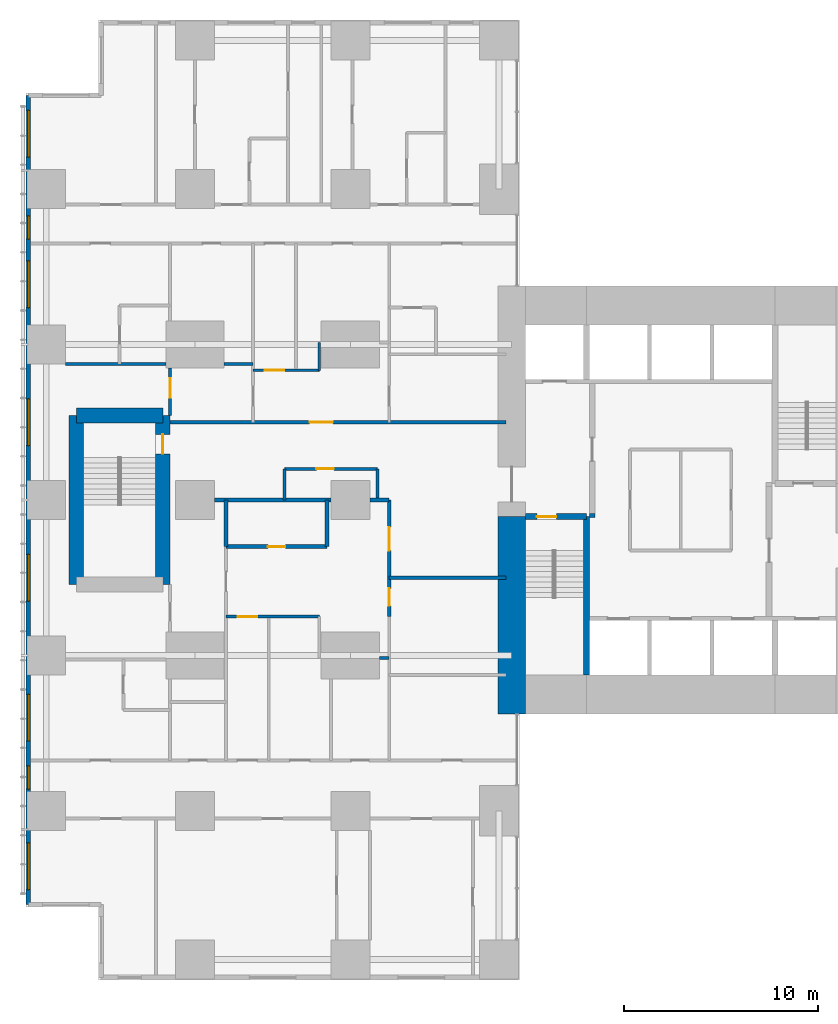
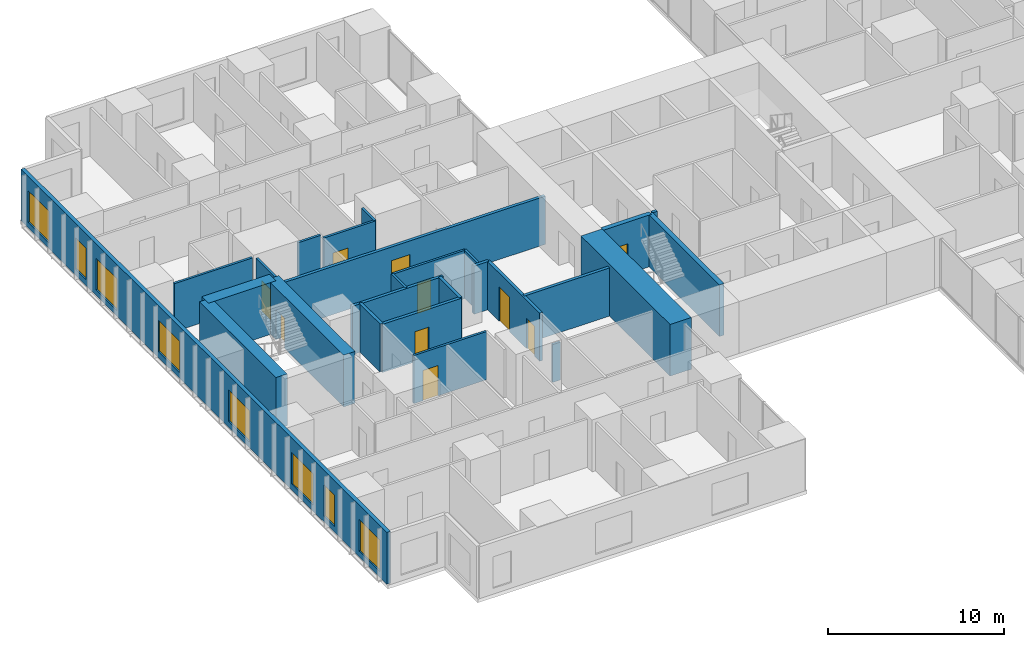
# One storey, part 13 of 20: 26 walls, 10 doors, 8 windows, 18 openings.
"""IFC4 building model written with IfcOpenShell, lengths in metres."""

import ifcopenshell
import ifcopenshell.guid

model = None  # the IFC model being written
_history = None  # IfcOwnerHistory: only IFC2X3 demands one
_inside = {}  # id of a spatial element -> (the spatial element, [elements in it])
_under = {}  # id of a project, library or spatial element -> (it, [spatial elements below it])
_declared = {}  # id of a project -> (the project, [libraries it declares])
_typed = {}  # id of a type object -> (the type object, [elements of that type])
_made_of = {}  # id of a material, layer set ... -> (it, [elements and type objects made of it])


def new_model(schema):
    """Start an empty IFC model of exactly this schema.

    Asked for "IFC4X3", IfcOpenShell would pick the latest addendum, in which some entities
    have other attributes; the version numbers below select the first issue.
    IFC2X3 requires an IfcOwnerHistory on every rooted entity: one is made here for all.
    """
    global model, _history
    if schema == "IFC4X3":
        model = ifcopenshell.file(schema_version=(4, 3, 0, 0))
    else:
        model = ifcopenshell.file(schema=schema)
    _inside.clear()
    _under.clear()
    _declared.clear()
    _typed.clear()
    _made_of.clear()
    _history = None
    if model.schema == "IFC2X3":
        org = make("IfcOrganization", Name="unknown")
        user = make(
            "IfcPersonAndOrganization",
            ThePerson=make("IfcPerson", FamilyName="unknown"),
            TheOrganization=org,
        )
        app = make(
            "IfcApplication",
            ApplicationDeveloper=org,
            Version="unknown",
            ApplicationFullName="unknown",
            ApplicationIdentifier="unknown",
        )
        _history = make(
            "IfcOwnerHistory",
            OwningUser=user,
            OwningApplication=app,
            ChangeAction="ADDED",
            CreationDate=0,
        )
    return model


def make(cls, **values):
    """One entity of the class cls with the attributes given. An attribute that is None is left unset."""
    return model.create_entity(
        cls, **{name: value for name, value in values.items() if value is not None}
    )


def rooted(cls, **values):
    """An entity with a GlobalId (a new one), such as an element, a storey or a relation."""
    return make(cls, GlobalId=ifcopenshell.guid.new(), OwnerHistory=_history, **values)


def si_unit(unit_type, name, prefix=None):
    """IfcSIUnit, for example si_unit("LENGTHUNIT", "METRE", prefix="MILLI")."""
    return make("IfcSIUnit", UnitType=unit_type, Prefix=prefix, Name=name)


def assignment(units):
    """IfcUnitAssignment: the units of a project."""
    return None if units is None else make("IfcUnitAssignment", Units=units)


def point(xyz):
    """IfcCartesianPoint."""
    return None if xyz is None else make("IfcCartesianPoint", Coordinates=xyz)


def direction(xyz):
    """IfcDirection."""
    return None if xyz is None else make("IfcDirection", DirectionRatios=xyz)


def frame(location, z_axis=None, x_axis=None):
    """IfcAxis2Placement3D, a coordinate frame: its origin and axes. An axis left out is left unset."""
    return make(
        "IfcAxis2Placement3D",
        Location=point(location),
        Axis=direction(z_axis),
        RefDirection=direction(x_axis),
    )


def frame_2d(location, x_axis=None):
    """IfcAxis2Placement2D, a coordinate frame in the plane: its origin and x axis."""
    return make(
        "IfcAxis2Placement2D", Location=point(location), RefDirection=direction(x_axis)
    )


def origin():
    """The frame at (0, 0, 0) with its axes left unset."""
    return frame((0.0, 0.0, 0.0))


def place(relative_to, where):
    """IfcLocalPlacement: puts the frame where relative to a parent placement (None: the world)."""
    return make(
        "IfcLocalPlacement", PlacementRelTo=relative_to, RelativePlacement=where
    )


def context(
    kind, dimensions, precision=None, world=None, true_north=None, identifier=None
):
    """IfcGeometricRepresentationContext, for example the 3D "Model" context."""
    return make(
        "IfcGeometricRepresentationContext",
        ContextIdentifier=identifier,
        ContextType=kind,
        CoordinateSpaceDimension=dimensions,
        Precision=precision,
        WorldCoordinateSystem=world,
        TrueNorth=true_north,
    )


def subcontext(parent, identifier, kind, view, scale=None):
    """IfcGeometricRepresentationSubContext, for example "Body" below "Model"."""
    return make(
        "IfcGeometricRepresentationSubContext",
        ContextIdentifier=identifier,
        ContextType=kind,
        ParentContext=parent,
        TargetScale=scale,
        TargetView=view,
    )


def project(units=None, contexts=None):
    """IfcProject with its units and contexts."""
    return rooted(
        "IfcProject",
        Name="project",
        RepresentationContexts=contexts,
        UnitsInContext=assignment(units),
    )


def spatial(cls, under=None, at=None, **own):
    """A site, building, storey or space (cls), placed at a placement, below another one or the project."""
    s = rooted(cls, ObjectPlacement=at, **own)
    if under is not None:
        _under.setdefault(under.id(), (under, []))[1].append(s)
    return s


def profile(cls, at=None, kind="AREA", **sizes):
    """A parametric profile (cls). Its sizes go by their IFC names, for example OverallWidth=200.0."""
    return make(cls, ProfileType=kind, Position=at, **sizes)


def rectangle(**sizes):
    """IfcRectangleProfileDef."""
    return profile("IfcRectangleProfileDef", **sizes)


def extrude(swept, where, along, depth):
    """IfcExtrudedAreaSolid: the profile swept, set in the frame where, extruded along a direction by depth."""
    return make(
        "IfcExtrudedAreaSolid",
        SweptArea=swept,
        Position=where,
        ExtrudedDirection=direction(along),
        Depth=depth,
    )


def shape(context_of_items, identifier, shape_type, items):
    """IfcShapeRepresentation: the items that make up one representation, for example the "Body"."""
    return make(
        "IfcShapeRepresentation",
        ContextOfItems=context_of_items,
        RepresentationIdentifier=identifier,
        RepresentationType=shape_type,
        Items=items,
    )


def material(Name=None, Category=None):
    """IfcMaterial."""
    return make("IfcMaterial", Name=Name, Category=Category)


def layer(
    of_material, thickness, ventilated=None, Name=None, Category=None, Priority=None
):
    """IfcMaterialLayer: one layer of a wall or slab, of a material (None: an air gap)."""
    return make(
        "IfcMaterialLayer",
        Material=of_material,
        LayerThickness=thickness,
        IsVentilated=ventilated,
        Name=Name,
        Category=Category,
        Priority=Priority,
    )


def layer_set(layers, Name=None):
    """IfcMaterialLayerSet."""
    return make("IfcMaterialLayerSet", MaterialLayers=layers, LayerSetName=Name)


def made_of(thing, what):
    """Note that an element or type object is made of a material, layer set ...; save() writes the relation."""
    if what is not None:
        _made_of.setdefault(what.id(), (what, []))[1].append(thing)
    return thing


def type_object(cls, material=None, **own):
    """A type object (cls), such as IfcWallType, which elements share."""
    return made_of(rooted(cls, **own), material)


def element(
    cls,
    number,
    at=None,
    inside=None,
    cuts=None,
    type_object=None,
    material=None,
    context=None,
    identifier="Body",
    shape_type=None,
    held_by="IfcProductDefinitionShape",
    body=None,
    shapes=None,
    **own,
):
    """One element of the class cls, such as IfcWall. Its Tag is "e" and its number.

    at: its placement. inside: the storey or other place that contains it. cuts: it is an
    opening in that element (IfcRelVoidsElement). A single representation is given by context,
    identifier, shape_type and body (its items); several are given by shapes. held_by: the class
    of the entity that holds the representations. save() writes the other relations.
    """
    e = rooted(cls, Tag="e%d" % number, ObjectPlacement=at, **own)
    if body is not None:
        shapes = [shape(context, identifier, shape_type, body)]
    if shapes is not None:
        e.Representation = make(held_by, Representations=shapes)
    if inside is not None:
        _inside.setdefault(inside.id(), (inside, []))[1].append(e)
    if cuts is not None:
        rooted(
            "IfcRelVoidsElement", RelatingBuildingElement=cuts, RelatedOpeningElement=e
        )
    if type_object is not None:
        _typed.setdefault(type_object.id(), (type_object, []))[1].append(e)
    return made_of(e, material)


def fill(opening, filler):
    """IfcRelFillsElement: the door or window that sits in an opening."""
    return rooted(
        "IfcRelFillsElement",
        RelatingOpeningElement=opening,
        RelatedBuildingElement=filler,
    )


def aggregate(whole, parts):
    """IfcRelAggregates: a whole, such as a stair, and the parts it consists of."""
    return rooted("IfcRelAggregates", RelatingObject=whole, RelatedObjects=parts)


def save(model, path):
    """Write the relations noted so far, then the file.

    IfcRelAggregates (storeys below a building ...), IfcRelContainedInSpatialStructure (elements
    in a storey), IfcRelDefinesByType, IfcRelAssociatesMaterial and IfcRelDeclares: one each for
    every whole, place, type object, material and project.
    """
    for whole, parts in _under.values():
        aggregate(whole, parts)
    for where, things in _inside.values():
        rooted(
            "IfcRelContainedInSpatialStructure",
            RelatedElements=things,
            RelatingStructure=where,
        )
    for kind, things in _typed.values():
        rooted("IfcRelDefinesByType", RelatedObjects=things, RelatingType=kind)
    for what, things in _made_of.values():
        rooted("IfcRelAssociatesMaterial", RelatedObjects=things, RelatingMaterial=what)
    for by, libraries in _declared.values():
        rooted("IfcRelDeclares", RelatingContext=by, RelatedDefinitions=libraries)
    model.write(path)


model = new_model("IFC4")

# Units and contexts
model_context = context("Model", 3, precision=1e-05, world=origin(), true_north=direction((0.0, 1.0)))
body_context = subcontext(model_context, "Body", "Model", "MODEL_VIEW")
ifc_project = project(units=[si_unit("LENGTHUNIT", "METRE"), si_unit("AREAUNIT", "SQUARE_METRE"), si_unit("VOLUMEUNIT", "CUBIC_METRE"), si_unit("PLANEANGLEUNIT", "RADIAN"), si_unit("MASSUNIT", "GRAM", prefix="KILO")], contexts=[model_context])

# Site, building, storey
site_placement = place(None, origin())
site = spatial("IfcSite", under=ifc_project, at=site_placement, CompositionType="ELEMENT")
building_placement = place(site_placement, origin())
building = spatial("IfcBuilding", under=site, at=building_placement, Name="Cleftline Residences", CompositionType="ELEMENT")
storey_placement = place(building_placement, frame((0.0, 0.0, 114.199951171875)))
storey = spatial("IfcBuildingStorey", under=building, at=storey_placement, Name="L29", CompositionType="ELEMENT", Elevation=114.199951171875)

# Walls
ifc_material_1 = material(Name="Concrete B70", Category="concrete")
ifc_layer_1 = layer(ifc_material_1, 1.39990234375)
ifc_layer_set_1 = layer_set([ifc_layer_1], Name="CORE WALL 1400")
wall_type_1 = type_object("IfcWallType", Name="CORE WALL 1400", PredefinedType="SHEAR", material=ifc_layer_set_1)
wall_1_placement = place(storey_placement, frame((24.300048828125, 13.0, 0.0), z_axis=(0.0, 0.0, 1.0), x_axis=(0.0, 1.0, 0.0)))
element("IfcWall", 1, at=wall_1_placement, inside=storey, type_object=wall_type_1, Name="Core wall W0", PredefinedType="SHEAR", context=body_context, shape_type="SweptSolid", body=[
    extrude(rectangle(XDim=10.14990234375, YDim=1.39990234375, at=frame_2d((5.074951171875, 0.0))), origin(), (0.0, 0.0, 1.0), 3.60009765625),
])
ifc_material_2 = material(Name="Concrete B70", Category="concrete")
ifc_layer_2 = layer(ifc_material_2, 0.300048828125)
ifc_layer_set_2 = layer_set([ifc_layer_2], Name="CORE WALL 300")
wall_type_2 = type_object("IfcWallType", Name="CORE WALL 300", PredefinedType="SHEAR", material=ifc_layer_set_2)
wall_2_placement = place(storey_placement, frame((28.14990234375, 15.0, 0.0), z_axis=(0.0, 0.0, 1.0), x_axis=(0.0, 1.0, 0.0)))
element("IfcWall", 2, at=wall_2_placement, inside=storey, type_object=wall_type_2, Name="Core wall SA-E", PredefinedType="SHEAR", context=body_context, shape_type="SweptSolid", body=[
    extrude(rectangle(XDim=8.14990234375, YDim=0.300048828125, at=frame_2d((4.074951171875, 0.0))), origin(), (0.0, 0.0, 1.0), 3.60009765625),
])

# Wall, opening, door
wall_3_placement = place(storey_placement, frame((25.0, 23.14990234375, 0.0), z_axis=(0.0, 0.0, 1.0), x_axis=(1.0, 0.0, 0.0)))
wall_3 = element("IfcWall", 3, at=wall_3_placement, inside=storey, type_object=wall_type_2, Name="Core wall SA-N", PredefinedType="SHEAR", context=body_context, shape_type="SweptSolid", body=[
    extrude(rectangle(XDim=3.14990234375, YDim=0.300048828125, at=frame_2d((1.574951171875, 0.0))), origin(), (0.0, 0.0, 1.0), 3.60009765625),
])
opening_1_placement = place(wall_3_placement, frame((0.60009765625, 0.0, 0.0)))
opening_1 = element("IfcOpeningElement", 4, at=opening_1_placement, cuts=wall_3, Name="Opening D5", PredefinedType="OPENING", context=body_context, shape_type="SweptSolid", body=[
    extrude(rectangle(XDim=1.0, YDim=2.10009765625, at=frame_2d((0.5, 1.050048828125))), frame((0.0, 0.159912109375, 0.0), z_axis=(0.0, -1.0, 0.0), x_axis=(1.0, 0.0, 0.0)), (0.0, 0.0, 1.0), 0.320068359375),
])
ifc_material_3 = material(Name="Steel", Category="steel")
door_type_1 = type_object("IfcDoorType", Name="STAIR DOOR 1000X2100", OperationType="SINGLE_SWING_LEFT", PredefinedType="DOOR", material=ifc_material_3)
door_1_placement = place(opening_1_placement, origin())
door_1 = element("IfcDoor", 5, at=door_1_placement, inside=storey, type_object=door_type_1, Name="Stair A door", OperationType="SINGLE_SWING_RIGHT", OverallHeight=2.10009765625, OverallWidth=1.0, PredefinedType="DOOR", context=body_context, shape_type="SweptSolid", body=[
    extrude(rectangle(XDim=1.0, YDim=2.10009765625, at=frame_2d((0.5, 1.050048828125))), frame((0.0, 0.02490234375, 0.0), z_axis=(0.0, -1.0, 0.0), x_axis=(1.0, 0.0, 0.0)), (0.0, 0.0, 1.0), 0.050048828125),
])
fill(opening_1, door_1)

# Wall, openings, windows
ifc_material_4 = material(Name="Rendered reinforced concrete blockwork", Category="masonry")
ifc_layer_3 = layer(ifc_material_4, 0.25)
ifc_layer_set_3 = layer_set([ifc_layer_3], Name="EXTERNAL WALL 250")
wall_type_3 = type_object("IfcWallType", Name="EXTERNAL WALL 250", PredefinedType="SOLIDWALL", material=ifc_layer_set_3)
wall_4_placement = place(storey_placement, frame((-0.574951171875, 44.824951171875, 0.0), z_axis=(0.0, 0.0, 1.0), x_axis=(0.0, -1.0, 0.0)))
wall_4 = element("IfcWall", 6, at=wall_4_placement, inside=storey, type_object=wall_type_3, Name="External wall", PredefinedType="SOLIDWALL", context=body_context, shape_type="SweptSolid", body=[
    extrude(rectangle(XDim=41.64990234375, YDim=0.25, at=frame_2d((20.824951171875, 0.0))), origin(), (0.0, 0.0, 1.0), 3.60009765625),
])
opening_2_placement = place(wall_4_placement, frame((0.77490234375, 0.0, 0.39990234375)))
opening_2 = element("IfcOpeningElement", 7, at=opening_2_placement, cuts=wall_4, Name="Opening W12", PredefinedType="OPENING", context=body_context, shape_type="SweptSolid", body=[
    extrude(rectangle(XDim=2.39990234375, YDim=2.199951171875, at=frame_2d((1.199951171875, 1.10009765625))), frame((0.0, 0.135009765625, 0.0), z_axis=(0.0, -1.0, 0.0), x_axis=(1.0, 0.0, 0.0)), (0.0, 0.0, 1.0), 0.27001953125),
])
opening_3_placement = place(wall_4_placement, frame((6.199951171875, 0.0, 0.39990234375)))
opening_3 = element("IfcOpeningElement", 8, at=opening_3_placement, cuts=wall_4, Name="Opening W11", PredefinedType="OPENING", context=body_context, shape_type="SweptSolid", body=[
    extrude(rectangle(XDim=1.199951171875, YDim=2.199951171875, at=frame_2d((0.60009765625, 1.10009765625))), frame((0.0, 0.135009765625, 0.0), z_axis=(0.0, -1.0, 0.0), x_axis=(1.0, 0.0, 0.0)), (0.0, 0.0, 1.0), 0.27001953125),
])
opening_4_placement = place(wall_4_placement, frame((8.52490234375, 0.0, 0.39990234375)))
opening_4 = element("IfcOpeningElement", 9, at=opening_4_placement, cuts=wall_4, Name="Opening W12", PredefinedType="OPENING", context=body_context, shape_type="SweptSolid", body=[
    extrude(rectangle(XDim=2.39990234375, YDim=2.199951171875, at=frame_2d((1.199951171875, 1.10009765625))), frame((0.0, 0.135009765625, 0.0), z_axis=(0.0, -1.0, 0.0), x_axis=(1.0, 0.0, 0.0)), (0.0, 0.0, 1.0), 0.27001953125),
])
opening_5_placement = place(wall_4_placement, frame((15.625, 0.0, 0.39990234375)))
opening_5 = element("IfcOpeningElement", 10, at=opening_5_placement, cuts=wall_4, Name="Opening W12", PredefinedType="OPENING", context=body_context, shape_type="SweptSolid", body=[
    extrude(rectangle(XDim=2.39990234375, YDim=2.199951171875, at=frame_2d((1.199951171875, 1.10009765625))), frame((0.0, 0.135009765625, 0.0), z_axis=(0.0, -1.0, 0.0), x_axis=(1.0, 0.0, 0.0)), (0.0, 0.0, 1.0), 0.27001953125),
])
opening_6_placement = place(wall_4_placement, frame((23.625, 0.0, 0.39990234375)))
opening_6 = element("IfcOpeningElement", 11, at=opening_6_placement, cuts=wall_4, Name="Opening W12", PredefinedType="OPENING", context=body_context, shape_type="SweptSolid", body=[
    extrude(rectangle(XDim=2.39990234375, YDim=2.199951171875, at=frame_2d((1.199951171875, 1.10009765625))), frame((0.0, 0.135009765625, 0.0), z_axis=(0.0, -1.0, 0.0), x_axis=(1.0, 0.0, 0.0)), (0.0, 0.0, 1.0), 0.27001953125),
])
opening_7_placement = place(wall_4_placement, frame((30.824951171875, 0.0, 0.39990234375)))
opening_7 = element("IfcOpeningElement", 12, at=opening_7_placement, cuts=wall_4, Name="Opening W12", PredefinedType="OPENING", context=body_context, shape_type="SweptSolid", body=[
    extrude(rectangle(XDim=2.39990234375, YDim=2.199951171875, at=frame_2d((1.199951171875, 1.10009765625))), frame((0.0, 0.135009765625, 0.0), z_axis=(0.0, -1.0, 0.0), x_axis=(1.0, 0.0, 0.0)), (0.0, 0.0, 1.0), 0.27001953125),
])
opening_8_placement = place(wall_4_placement, frame((34.5, 0.0, 0.39990234375)))
opening_8 = element("IfcOpeningElement", 13, at=opening_8_placement, cuts=wall_4, Name="Opening W11", PredefinedType="OPENING", context=body_context, shape_type="SweptSolid", body=[
    extrude(rectangle(XDim=1.199951171875, YDim=2.199951171875, at=frame_2d((0.60009765625, 1.10009765625))), frame((0.0, 0.135009765625, 0.0), z_axis=(0.0, -1.0, 0.0), x_axis=(1.0, 0.0, 0.0)), (0.0, 0.0, 1.0), 0.27001953125),
])
opening_9_placement = place(wall_4_placement, frame((38.47509765625, 0.0, 0.39990234375)))
opening_9 = element("IfcOpeningElement", 14, at=opening_9_placement, cuts=wall_4, Name="Opening W12", PredefinedType="OPENING", context=body_context, shape_type="SweptSolid", body=[
    extrude(rectangle(XDim=2.39990234375, YDim=2.199951171875, at=frame_2d((1.199951171875, 1.10009765625))), frame((0.0, 0.135009765625, 0.0), z_axis=(0.0, -1.0, 0.0), x_axis=(1.0, 0.0, 0.0)), (0.0, 0.0, 1.0), 0.27001953125),
])
ifc_material_5 = material(Name="Aluminium frame, clear double glazing", Category="aluminium")
window_type_1 = type_object("IfcWindowType", Name="WINDOW 1200X2200", PartitioningType="DOUBLE_PANEL_VERTICAL", PredefinedType="WINDOW", material=ifc_material_5)
window_1_placement = place(opening_3_placement, origin())
window_1 = element("IfcWindow", 15, at=window_1_placement, inside=storey, type_object=window_type_1, Name="Window", OverallHeight=2.199951171875, OverallWidth=1.199951171875, PartitioningType="SINGLE_PANEL", PredefinedType="WINDOW", context=body_context, shape_type="SweptSolid", body=[
    extrude(rectangle(XDim=1.199951171875, YDim=2.199951171875, at=frame_2d((0.60009765625, 1.10009765625))), frame((0.0, 0.030029296875, 0.0), z_axis=(0.0, -1.0, 0.0), x_axis=(1.0, 0.0, 0.0)), (0.0, 0.0, 1.0), 0.06005859375),
])
fill(opening_3, window_1)
window_2_placement = place(opening_8_placement, origin())
window_2 = element("IfcWindow", 16, at=window_2_placement, inside=storey, type_object=window_type_1, Name="Window", OverallHeight=2.199951171875, OverallWidth=1.199951171875, PartitioningType="SINGLE_PANEL", PredefinedType="WINDOW", context=body_context, shape_type="SweptSolid", body=[
    extrude(rectangle(XDim=1.199951171875, YDim=2.199951171875, at=frame_2d((0.60009765625, 1.10009765625))), frame((0.0, 0.030029296875, 0.0), z_axis=(0.0, -1.0, 0.0), x_axis=(1.0, 0.0, 0.0)), (0.0, 0.0, 1.0), 0.06005859375),
])
fill(opening_8, window_2)
ifc_material_6 = material(Name="Aluminium frame, clear double glazing", Category="aluminium")
window_type_2 = type_object("IfcWindowType", Name="WINDOW 2400X2200", PartitioningType="DOUBLE_PANEL_VERTICAL", PredefinedType="WINDOW", material=ifc_material_6)
window_3_placement = place(opening_2_placement, origin())
window_3 = element("IfcWindow", 17, at=window_3_placement, inside=storey, type_object=window_type_2, Name="Window", OverallHeight=2.199951171875, OverallWidth=2.39990234375, PartitioningType="SINGLE_PANEL", PredefinedType="WINDOW", context=body_context, shape_type="SweptSolid", body=[
    extrude(rectangle(XDim=2.39990234375, YDim=2.199951171875, at=frame_2d((1.199951171875, 1.10009765625))), frame((0.0, 0.030029296875, 0.0), z_axis=(0.0, -1.0, 0.0), x_axis=(1.0, 0.0, 0.0)), (0.0, 0.0, 1.0), 0.06005859375),
])
fill(opening_2, window_3)
window_4_placement = place(opening_4_placement, origin())
window_4 = element("IfcWindow", 18, at=window_4_placement, inside=storey, type_object=window_type_2, Name="Window", OverallHeight=2.199951171875, OverallWidth=2.39990234375, PartitioningType="SINGLE_PANEL", PredefinedType="WINDOW", context=body_context, shape_type="SweptSolid", body=[
    extrude(rectangle(XDim=2.39990234375, YDim=2.199951171875, at=frame_2d((1.199951171875, 1.10009765625))), frame((0.0, 0.030029296875, 0.0), z_axis=(0.0, -1.0, 0.0), x_axis=(1.0, 0.0, 0.0)), (0.0, 0.0, 1.0), 0.06005859375),
])
fill(opening_4, window_4)
window_5_placement = place(opening_5_placement, origin())
window_5 = element("IfcWindow", 19, at=window_5_placement, inside=storey, type_object=window_type_2, Name="Window", OverallHeight=2.199951171875, OverallWidth=2.39990234375, PartitioningType="SINGLE_PANEL", PredefinedType="WINDOW", context=body_context, shape_type="SweptSolid", body=[
    extrude(rectangle(XDim=2.39990234375, YDim=2.199951171875, at=frame_2d((1.199951171875, 1.10009765625))), frame((0.0, 0.030029296875, 0.0), z_axis=(0.0, -1.0, 0.0), x_axis=(1.0, 0.0, 0.0)), (0.0, 0.0, 1.0), 0.06005859375),
])
fill(opening_5, window_5)
window_6_placement = place(opening_6_placement, origin())
window_6 = element("IfcWindow", 20, at=window_6_placement, inside=storey, type_object=window_type_2, Name="Window", OverallHeight=2.199951171875, OverallWidth=2.39990234375, PartitioningType="SINGLE_PANEL", PredefinedType="WINDOW", context=body_context, shape_type="SweptSolid", body=[
    extrude(rectangle(XDim=2.39990234375, YDim=2.199951171875, at=frame_2d((1.199951171875, 1.10009765625))), frame((0.0, 0.030029296875, 0.0), z_axis=(0.0, -1.0, 0.0), x_axis=(1.0, 0.0, 0.0)), (0.0, 0.0, 1.0), 0.06005859375),
])
fill(opening_6, window_6)
window_7_placement = place(opening_7_placement, origin())
window_7 = element("IfcWindow", 21, at=window_7_placement, inside=storey, type_object=window_type_2, Name="Window", OverallHeight=2.199951171875, OverallWidth=2.39990234375, PartitioningType="SINGLE_PANEL", PredefinedType="WINDOW", context=body_context, shape_type="SweptSolid", body=[
    extrude(rectangle(XDim=2.39990234375, YDim=2.199951171875, at=frame_2d((1.199951171875, 1.10009765625))), frame((0.0, 0.030029296875, 0.0), z_axis=(0.0, -1.0, 0.0), x_axis=(1.0, 0.0, 0.0)), (0.0, 0.0, 1.0), 0.06005859375),
])
fill(opening_7, window_7)
window_8_placement = place(opening_9_placement, origin())
window_8 = element("IfcWindow", 22, at=window_8_placement, inside=storey, type_object=window_type_2, Name="Window", OverallHeight=2.199951171875, OverallWidth=2.39990234375, PartitioningType="SINGLE_PANEL", PredefinedType="WINDOW", context=body_context, shape_type="SweptSolid", body=[
    extrude(rectangle(XDim=2.39990234375, YDim=2.199951171875, at=frame_2d((1.199951171875, 1.10009765625))), frame((0.0, 0.030029296875, 0.0), z_axis=(0.0, -1.0, 0.0), x_axis=(1.0, 0.0, 0.0)), (0.0, 0.0, 1.0), 0.06005859375),
])
fill(opening_9, window_8)

# Wall
ifc_material_7 = material(Name="Concrete blockwork, fire rated", Category="masonry")
ifc_layer_4 = layer(ifc_material_7, 0.199951171875)
ifc_layer_set_4 = layer_set([ifc_layer_4], Name="FIRE WALL 200")
wall_type_4 = type_object("IfcWallType", Name="FIRE WALL 200", PredefinedType="PARTITIONING", material=ifc_layer_set_4)
wall_5_placement = place(storey_placement, frame((18.0, 20.0, 0.0), z_axis=(0.0, 0.0, 1.0), x_axis=(1.0, 0.0, 0.0)))
element("IfcWall", 23, at=wall_5_placement, inside=storey, type_object=wall_type_4, Name="Fire separating wall", PredefinedType="PARTITIONING", context=body_context, shape_type="SweptSolid", body=[
    extrude(rectangle(XDim=6.0, YDim=0.199951171875, at=frame_2d((3.0, 0.0))), origin(), (0.0, 0.0, 1.0), 3.35009765625),
])

# Wall, opening, door
wall_6_placement = place(storey_placement, frame((9.60009765625, 21.60009765625, 0.0), z_axis=(0.0, 0.0, 1.0), x_axis=(1.0, 0.0, 0.0)))
wall_6 = element("IfcWall", 24, at=wall_6_placement, inside=storey, type_object=wall_type_4, Name="Fire separating wall", PredefinedType="PARTITIONING", context=body_context, shape_type="SweptSolid", body=[
    extrude(rectangle(XDim=5.199951171875, YDim=0.199951171875, at=frame_2d((2.60009765625, 0.0))), origin(), (0.0, 0.0, 1.0), 3.35009765625),
])
opening_10_placement = place(wall_6_placement, frame((2.14990234375, 0.0, 0.0)))
opening_10 = element("IfcOpeningElement", 25, at=opening_10_placement, cuts=wall_6, Name="Opening D1F30", PredefinedType="OPENING", context=body_context, shape_type="SweptSolid", body=[
    extrude(rectangle(XDim=0.89990234375, YDim=2.10009765625, at=frame_2d((0.449951171875, 1.050048828125))), frame((0.0, 0.10986328125, 0.0), z_axis=(0.0, -1.0, 0.0), x_axis=(1.0, 0.0, 0.0)), (0.0, 0.0, 1.0), 0.219970703125),
])
ifc_material_8 = material(Name="Timber veneer on solid core", Category="wood")
door_type_2 = type_object("IfcDoorType", Name="DOOR 900X2100 EI 30", OperationType="SINGLE_SWING_LEFT", PredefinedType="DOOR", material=ifc_material_8)
door_2_placement = place(opening_10_placement, origin())
door_2 = element("IfcDoor", 26, at=door_2_placement, inside=storey, type_object=door_type_2, Name="Door to cloakroom wc", OperationType="SINGLE_SWING_LEFT", OverallHeight=2.10009765625, OverallWidth=0.89990234375, PredefinedType="DOOR", context=body_context, shape_type="SweptSolid", body=[
    extrude(rectangle(XDim=0.89990234375, YDim=2.10009765625, at=frame_2d((0.449951171875, 1.050048828125))), frame((0.0, 0.02490234375, 0.0), z_axis=(0.0, -1.0, 0.0), x_axis=(1.0, 0.0, 0.0)), (0.0, 0.0, 1.0), 0.050048828125),
])
fill(opening_10, door_2)

# Walls
wall_7_placement = place(storey_placement, frame((9.0, 24.0, 0.0), z_axis=(0.0, 0.0, 1.0), x_axis=(1.0, 0.0, 0.0)))
element("IfcWall", 27, at=wall_7_placement, inside=storey, type_object=wall_type_4, Name="Fire separating wall", PredefinedType="PARTITIONING", context=body_context, shape_type="SweptSolid", body=[
    extrude(rectangle(XDim=6.0, YDim=0.199951171875, at=frame_2d((3.0, 0.0))), origin(), (0.0, 0.0, 1.0), 3.35009765625),
])
wall_8_placement = place(storey_placement, frame((17.0, 24.0, 0.0), z_axis=(0.0, 0.0, 1.0), x_axis=(1.0, 0.0, 0.0)))
element("IfcWall", 28, at=wall_8_placement, inside=storey, type_object=wall_type_4, Name="Fire separating wall", PredefinedType="PARTITIONING", context=body_context, shape_type="SweptSolid", body=[
    extrude(rectangle(XDim=1.0, YDim=0.199951171875, at=frame_2d((0.5, 0.0))), origin(), (0.0, 0.0, 1.0), 3.35009765625),
])

# Wall, opening, door
wall_9_placement = place(storey_placement, frame((6.72509765625, 28.0, 0.0), z_axis=(0.0, 0.0, 1.0), x_axis=(1.0, 0.0, 0.0)))
wall_9 = element("IfcWall", 29, at=wall_9_placement, inside=storey, type_object=wall_type_4, Name="Fire separating wall", PredefinedType="PARTITIONING", context=body_context, shape_type="SweptSolid", body=[
    extrude(rectangle(XDim=17.27490234375, YDim=0.199951171875, at=frame_2d((8.637451171875, 0.0))), origin(), (0.0, 0.0, 1.0), 3.35009765625),
])
opening_11_placement = place(wall_9_placement, frame((7.175048828125, 0.0, 0.0)))
opening_11 = element("IfcOpeningElement", 30, at=opening_11_placement, cuts=wall_9, Name="Opening D4", PredefinedType="OPENING", context=body_context, shape_type="SweptSolid", body=[
    extrude(rectangle(XDim=1.199951171875, YDim=2.39990234375, at=frame_2d((0.60009765625, 1.199951171875))), frame((0.0, 0.10986328125, 0.0), z_axis=(0.0, -1.0, 0.0), x_axis=(1.0, 0.0, 0.0)), (0.0, 0.0, 1.0), 0.219970703125),
])
ifc_material_9 = material(Name="Timber veneer on solid core", Category="wood")
door_type_3 = type_object("IfcDoorType", Name="APARTMENT ENTRANCE DOOR 1200X2400", OperationType="SINGLE_SWING_RIGHT", PredefinedType="DOOR", material=ifc_material_9)
door_3_placement = place(opening_11_placement, origin())
door_3 = element("IfcDoor", 31, at=door_3_placement, inside=storey, type_object=door_type_3, Name="Door to residence entrance (gallery)", OperationType="SINGLE_SWING_RIGHT", OverallHeight=2.39990234375, OverallWidth=1.199951171875, PredefinedType="DOOR", context=body_context, shape_type="SweptSolid", body=[
    extrude(rectangle(XDim=1.199951171875, YDim=2.39990234375, at=frame_2d((0.60009765625, 1.199951171875))), frame((0.0, 0.02490234375, 0.0), z_axis=(0.0, -1.0, 0.0), x_axis=(1.0, 0.0, 0.0)), (0.0, 0.0, 1.0), 0.050048828125),
])
fill(opening_11, door_3)

# Walls
for number, where, z_axis, x_axis, name in (
    (32, (9.60009765625, 21.60009765625, 0.0), (0.0, 0.0, 1.0), (0.0, 1.0, 0.0), "Fire separating wall"),
    (33, (14.800048828125, 21.60009765625, 0.0), (0.0, 0.0, 1.0), (0.0, 1.0, 0.0), "Fire separating wall"),
):
    element("IfcWall", number, at=place(storey_placement, frame(where, z_axis=z_axis, x_axis=x_axis)), inside=storey, type_object=wall_type_4, Name=name, PredefinedType="PARTITIONING", context=body_context, shape_type="SweptSolid", body=[
        extrude(rectangle(XDim=2.39990234375, YDim=0.199951171875, at=frame_2d((1.199951171875, 0.0))), origin(), (0.0, 0.0, 1.0), 3.35009765625),
    ])

# Wall, openings, doors
wall_10_placement = place(storey_placement, frame((18.0, 18.0, 0.0), z_axis=(0.0, 0.0, 1.0), x_axis=(0.0, 1.0, 0.0)))
wall_10 = element("IfcWall", 34, at=wall_10_placement, inside=storey, type_object=wall_type_4, Name="Fire separating wall", PredefinedType="PARTITIONING", context=body_context, shape_type="SweptSolid", body=[
    extrude(rectangle(XDim=6.0, YDim=0.199951171875, at=frame_2d((3.0, 0.0))), origin(), (0.0, 0.0, 1.0), 3.35009765625),
])
opening_12_placement = place(wall_10_placement, frame((3.39990234375, 0.0, 0.0)))
opening_12 = element("IfcOpeningElement", 35, at=opening_12_placement, cuts=wall_10, Name="Opening D4", PredefinedType="OPENING", context=body_context, shape_type="SweptSolid", body=[
    extrude(rectangle(XDim=1.199951171875, YDim=2.39990234375, at=frame_2d((0.60009765625, 1.199951171875))), frame((0.0, 0.10986328125, 0.0), z_axis=(0.0, -1.0, 0.0), x_axis=(1.0, 0.0, 0.0)), (0.0, 0.0, 1.0), 0.219970703125),
])
opening_13_placement = place(wall_10_placement, frame((0.550048828125, 0.0, 0.0)))
opening_13 = element("IfcOpeningElement", 36, at=opening_13_placement, cuts=wall_10, Name="Opening D1F30", PredefinedType="OPENING", context=body_context, shape_type="SweptSolid", body=[
    extrude(rectangle(XDim=0.89990234375, YDim=2.10009765625, at=frame_2d((0.449951171875, 1.050048828125))), frame((0.0, 0.10986328125, 0.0), z_axis=(0.0, -1.0, 0.0), x_axis=(1.0, 0.0, 0.0)), (0.0, 0.0, 1.0), 0.219970703125),
])
door_4_placement = place(opening_12_placement, origin())
door_4 = element("IfcDoor", 37, at=door_4_placement, inside=storey, type_object=door_type_3, Name="Door to residence entrance foyer", OperationType="SINGLE_SWING_LEFT", OverallHeight=2.39990234375, OverallWidth=1.199951171875, PredefinedType="DOOR", context=body_context, shape_type="SweptSolid", body=[
    extrude(rectangle(XDim=1.199951171875, YDim=2.39990234375, at=frame_2d((0.60009765625, 1.199951171875))), frame((0.0, 0.02490234375, 0.0), z_axis=(0.0, -1.0, 0.0), x_axis=(1.0, 0.0, 0.0)), (0.0, 0.0, 1.0), 0.050048828125),
])
fill(opening_12, door_4)
door_5_placement = place(opening_13_placement, origin())
door_5 = element("IfcDoor", 38, at=door_5_placement, inside=storey, type_object=door_type_2, Name="Door to utility room", OperationType="SINGLE_SWING_RIGHT", OverallHeight=2.10009765625, OverallWidth=0.89990234375, PredefinedType="DOOR", context=body_context, shape_type="SweptSolid", body=[
    extrude(rectangle(XDim=0.89990234375, YDim=2.10009765625, at=frame_2d((0.449951171875, 1.050048828125))), frame((0.0, 0.02490234375, 0.0), z_axis=(0.0, -1.0, 0.0), x_axis=(1.0, 0.0, 0.0)), (0.0, 0.0, 1.0), 0.050048828125),
])
fill(opening_13, door_5)

# Walls
wall_11_placement = place(storey_placement, frame((28.300048828125, 23.199951171875, 0.0), z_axis=(0.0, 0.0, 1.0), x_axis=(1.0, 0.0, 0.0)))
element("IfcWall", 39, at=wall_11_placement, inside=storey, type_object=wall_type_4, Name="Fire separating wall", PredefinedType="PARTITIONING", context=body_context, shape_type="SweptSolid", body=[
    extrude(rectangle(XDim=0.300048828125, YDim=0.199951171875, at=frame_2d((0.14990234375, 0.0))), origin(), (0.0, 0.0, 1.0), 3.60009765625),
])
ifc_material_10 = material(Name="Gypsum board on steel studs", Category="steel")
ifc_layer_5 = layer(ifc_material_10, 0.14990234375)
ifc_layer_set_5 = layer_set([ifc_layer_5], Name="PARTITION 150")
wall_type_5 = type_object("IfcWallType", Name="PARTITION 150", PredefinedType="PARTITIONING", material=ifc_layer_set_5)
wall_12_placement = place(storey_placement, frame((17.5, 15.875, 0.0), z_axis=(0.0, 0.0, 1.0), x_axis=(1.0, 0.0, 0.0)))
element("IfcWall", 40, at=wall_12_placement, inside=storey, type_object=wall_type_5, Name="Partition", PredefinedType="PARTITIONING", context=body_context, shape_type="SweptSolid", body=[
    extrude(rectangle(XDim=0.5, YDim=0.14990234375, at=frame_2d((0.25, 0.0))), origin(), (0.0, 0.0, 1.0), 2.634033203125),
])

# Wall, opening, door
wall_13_placement = place(storey_placement, frame((9.60009765625, 18.0, 0.0), z_axis=(0.0, 0.0, 1.0), x_axis=(1.0, 0.0, 0.0)))
wall_13 = element("IfcWall", 41, at=wall_13_placement, inside=storey, type_object=wall_type_5, Name="Partition", PredefinedType="PARTITIONING", context=body_context, shape_type="SweptSolid", body=[
    extrude(rectangle(XDim=4.7998046875, YDim=0.14990234375, at=frame_2d((2.39990234375, 0.0))), origin(), (0.0, 0.0, 1.0), 3.35009765625),
])
opening_14_placement = place(wall_13_placement, frame((0.60009765625, 0.0, 0.0)))
opening_14 = element("IfcOpeningElement", 42, at=opening_14_placement, cuts=wall_13, Name="Opening D2", PredefinedType="OPENING", context=body_context, shape_type="SweptSolid", body=[
    extrude(rectangle(XDim=1.0, YDim=2.10009765625, at=frame_2d((0.5, 1.050048828125))), frame((0.0, 0.0849609375, 0.0), z_axis=(0.0, -1.0, 0.0), x_axis=(1.0, 0.0, 0.0)), (0.0, 0.0, 1.0), 0.169921875),
])
ifc_material_11 = material(Name="Timber veneer on solid core", Category="wood")
door_type_4 = type_object("IfcDoorType", Name="DOOR 1000X2100", OperationType="SINGLE_SWING_LEFT", PredefinedType="DOOR", material=ifc_material_11)
door_6_placement = place(opening_14_placement, origin())
door_6 = element("IfcDoor", 43, at=door_6_placement, inside=storey, type_object=door_type_4, Name="Door to residence passage", OperationType="SINGLE_SWING_RIGHT", OverallHeight=2.10009765625, OverallWidth=1.0, PredefinedType="DOOR", context=body_context, shape_type="SweptSolid", body=[
    extrude(rectangle(XDim=1.0, YDim=2.10009765625, at=frame_2d((0.5, 1.050048828125))), frame((0.0, 0.02490234375, 0.0), z_axis=(0.0, -1.0, 0.0), x_axis=(1.0, 0.0, 0.0)), (0.0, 0.0, 1.0), 0.050048828125),
])
fill(opening_14, door_6)

wall_14_placement = place(storey_placement, frame((12.60009765625, 25.60009765625, 0.0), z_axis=(0.0, 0.0, 1.0), x_axis=(1.0, 0.0, 0.0)))
wall_14 = element("IfcWall", 44, at=wall_14_placement, inside=storey, type_object=wall_type_5, Name="Partition", PredefinedType="PARTITIONING", context=body_context, shape_type="SweptSolid", body=[
    extrude(rectangle(XDim=4.7998046875, YDim=0.14990234375, at=frame_2d((2.39990234375, 0.0))), origin(), (0.0, 0.0, 1.0), 3.35009765625),
])
opening_15_placement = place(wall_14_placement, frame((1.64990234375, 0.0, 0.0)))
opening_15 = element("IfcOpeningElement", 45, at=opening_15_placement, cuts=wall_14, Name="Opening D1", PredefinedType="OPENING", context=body_context, shape_type="SweptSolid", body=[
    extrude(rectangle(XDim=0.89990234375, YDim=2.10009765625, at=frame_2d((0.449951171875, 1.050048828125))), frame((0.0, 0.0849609375, 0.0), z_axis=(0.0, -1.0, 0.0), x_axis=(1.0, 0.0, 0.0)), (0.0, 0.0, 1.0), 0.169921875),
])
ifc_material_12 = material(Name="Timber veneer on solid core", Category="wood")
door_type_5 = type_object("IfcDoorType", Name="DOOR 900X2100", OperationType="SINGLE_SWING_LEFT", PredefinedType="DOOR", material=ifc_material_12)
door_7_placement = place(opening_15_placement, origin())
door_7 = element("IfcDoor", 46, at=door_7_placement, inside=storey, type_object=door_type_5, Name="Door to bulky waste room", OperationType="SINGLE_SWING_RIGHT", OverallHeight=2.10009765625, OverallWidth=0.89990234375, PredefinedType="DOOR", context=body_context, shape_type="SweptSolid", body=[
    extrude(rectangle(XDim=0.89990234375, YDim=2.10009765625, at=frame_2d((0.449951171875, 1.050048828125))), frame((0.0, 0.02490234375, 0.0), z_axis=(0.0, -1.0, 0.0), x_axis=(1.0, 0.0, 0.0)), (0.0, 0.0, 1.0), 0.050048828125),
])
fill(opening_15, door_7)

wall_15_placement = place(storey_placement, frame((11.0, 30.675048828125, 0.0), z_axis=(0.0, 0.0, 1.0), x_axis=(1.0, 0.0, 0.0)))
wall_15 = element("IfcWall", 47, at=wall_15_placement, inside=storey, type_object=wall_type_5, Name="Partition", PredefinedType="PARTITIONING", context=body_context, shape_type="SweptSolid", body=[
    extrude(rectangle(XDim=3.39990234375, YDim=0.14990234375, at=frame_2d((1.699951171875, 0.0))), origin(), (0.0, 0.0, 1.0), 3.35009765625),
])
opening_16_placement = place(wall_15_placement, frame((0.60009765625, 0.0, 0.0)))
opening_16 = element("IfcOpeningElement", 48, at=opening_16_placement, cuts=wall_15, Name="Opening D2", PredefinedType="OPENING", context=body_context, shape_type="SweptSolid", body=[
    extrude(rectangle(XDim=1.0, YDim=2.10009765625, at=frame_2d((0.5, 1.050048828125))), frame((0.0, 0.0849609375, 0.0), z_axis=(0.0, -1.0, 0.0), x_axis=(1.0, 0.0, 0.0)), (0.0, 0.0, 1.0), 0.169921875),
])
door_8_placement = place(opening_16_placement, origin())
door_8 = element("IfcDoor", 49, at=door_8_placement, inside=storey, type_object=door_type_4, Name="Door to residence passage", OperationType="SINGLE_SWING_RIGHT", OverallHeight=2.10009765625, OverallWidth=1.0, PredefinedType="DOOR", context=body_context, shape_type="SweptSolid", body=[
    extrude(rectangle(XDim=1.0, YDim=2.10009765625, at=frame_2d((0.5, 1.050048828125))), frame((0.0, 0.02490234375, 0.0), z_axis=(0.0, -1.0, 0.0), x_axis=(1.0, 0.0, 0.0)), (0.0, 0.0, 1.0), 0.050048828125),
])
fill(opening_16, door_8)

# Walls
wall_16_placement = place(storey_placement, frame((1.35009765625, 31.0, 0.0), z_axis=(0.0, 0.0, 1.0), x_axis=(1.0, 0.0, 0.0)))
element("IfcWall", 50, at=wall_16_placement, inside=storey, type_object=wall_type_5, Name="Partition", PredefinedType="PARTITIONING", context=body_context, shape_type="SweptSolid", body=[
    extrude(rectangle(XDim=5.14990234375, YDim=0.14990234375, at=frame_2d((2.574951171875, 0.0))), origin(), (0.0, 0.0, 1.0), 3.35009765625),
])
wall_17_placement = place(storey_placement, frame((9.5, 31.0, 0.0), z_axis=(0.0, 0.0, 1.0), x_axis=(1.0, 0.0, 0.0)))
element("IfcWall", 51, at=wall_17_placement, inside=storey, type_object=wall_type_5, Name="Partition", PredefinedType="PARTITIONING", context=body_context, shape_type="SweptSolid", body=[
    extrude(rectangle(XDim=1.5, YDim=0.14990234375, at=frame_2d((0.75, 0.0))), origin(), (0.0, 0.0, 1.0), 3.35009765625),
])

# Wall, opening, door
wall_18_placement = place(storey_placement, frame((6.72509765625, 28.35009765625, 0.0), z_axis=(0.0, 0.0, 1.0), x_axis=(0.0, 1.0, 0.0)))
wall_18 = element("IfcWall", 52, at=wall_18_placement, inside=storey, type_object=wall_type_5, Name="Partition", PredefinedType="PARTITIONING", context=body_context, shape_type="SweptSolid", body=[
    extrude(rectangle(XDim=2.449951171875, YDim=0.14990234375, at=frame_2d((1.22509765625, 0.0))), origin(), (0.0, 0.0, 1.0), 3.35009765625),
])
opening_17_placement = place(wall_18_placement, frame((0.91259765625, 0.0, 0.0)))
opening_17 = element("IfcOpeningElement", 53, at=opening_17_placement, cuts=wall_18, Name="Opening D2", PredefinedType="OPENING", context=body_context, shape_type="SweptSolid", body=[
    extrude(rectangle(XDim=1.0, YDim=2.10009765625, at=frame_2d((0.5, 1.050048828125))), frame((0.0, 0.0849609375, 0.0), z_axis=(0.0, -1.0, 0.0), x_axis=(1.0, 0.0, 0.0)), (0.0, 0.0, 1.0), 0.169921875),
])
door_9_placement = place(opening_17_placement, origin())
door_9 = element("IfcDoor", 54, at=door_9_placement, inside=storey, type_object=door_type_4, Name="Door to altar room", OperationType="SINGLE_SWING_LEFT", OverallHeight=2.10009765625, OverallWidth=1.0, PredefinedType="DOOR", context=body_context, shape_type="SweptSolid", body=[
    extrude(rectangle(XDim=1.0, YDim=2.10009765625, at=frame_2d((0.5, 1.050048828125))), frame((0.0, 0.02490234375, 0.0), z_axis=(0.0, -1.0, 0.0), x_axis=(1.0, 0.0, 0.0)), (0.0, 0.0, 1.0), 0.050048828125),
])
fill(opening_17, door_9)

# Walls
wall_19_placement = place(storey_placement, frame((12.60009765625, 24.0, 0.0), z_axis=(0.0, 0.0, 1.0), x_axis=(0.0, 1.0, 0.0)))
element("IfcWall", 55, at=wall_19_placement, inside=storey, type_object=wall_type_5, Name="Partition", PredefinedType="PARTITIONING", context=body_context, shape_type="SweptSolid", body=[
    extrude(rectangle(XDim=1.60009765625, YDim=0.14990234375, at=frame_2d((0.800048828125, 0.0))), origin(), (0.0, 0.0, 1.0), 3.35009765625),
])
wall_20_placement = place(storey_placement, frame((14.39990234375, 30.675048828125, 0.0), z_axis=(0.0, 0.0, 1.0), x_axis=(0.0, 1.0, 0.0)))
element("IfcWall", 56, at=wall_20_placement, inside=storey, type_object=wall_type_5, Name="Partition", PredefinedType="PARTITIONING", context=body_context, shape_type="SweptSolid", body=[
    extrude(rectangle(XDim=1.425048828125, YDim=0.14990234375, at=frame_2d((0.71240234375, 0.0))), origin(), (0.0, 0.0, 1.0), 3.35009765625),
])
wall_21_placement = place(storey_placement, frame((17.39990234375, 24.0, 0.0), z_axis=(0.0, 0.0, 1.0), x_axis=(0.0, 1.0, 0.0)))
element("IfcWall", 57, at=wall_21_placement, inside=storey, type_object=wall_type_5, Name="Partition", PredefinedType="PARTITIONING", context=body_context, shape_type="SweptSolid", body=[
    extrude(rectangle(XDim=1.60009765625, YDim=0.14990234375, at=frame_2d((0.800048828125, 0.0))), origin(), (0.0, 0.0, 1.0), 3.35009765625),
])

# Wall, opening, door
ifc_material_13 = material(Name="Concrete B70", Category="concrete")
ifc_layer_6 = layer(ifc_material_13, 0.75)
ifc_layer_set_6 = layer_set([ifc_layer_6], Name="SHEAR WALL 750")
wall_type_6 = type_object("IfcWallType", Name="SHEAR WALL 750", PredefinedType="SHEAR", material=ifc_layer_set_6)
wall_22_placement = place(storey_placement, frame((6.35009765625, 19.64990234375, 0.0), z_axis=(0.0, 0.0, 1.0), x_axis=(0.0, 1.0, 0.0)))
wall_22 = element("IfcWall", 58, at=wall_22_placement, inside=storey, type_object=wall_type_6, Name="Wing shear wall", PredefinedType="SHEAR", context=body_context, shape_type="SweptSolid", body=[
    extrude(rectangle(XDim=8.7001953125, YDim=0.75, at=frame_2d((4.35009765625, 0.0))), origin(), (0.0, 0.0, 1.0), 3.60009765625),
])
opening_18_placement = place(wall_22_placement, frame((6.72509765625, 0.0, 0.0)))
opening_18 = element("IfcOpeningElement", 59, at=opening_18_placement, cuts=wall_22, Name="Opening D5", PredefinedType="OPENING", context=body_context, shape_type="SweptSolid", body=[
    extrude(rectangle(XDim=1.0, YDim=2.10009765625, at=frame_2d((0.5, 1.050048828125))), frame((0.0, 0.385009765625, 0.0), z_axis=(0.0, -1.0, 0.0), x_axis=(1.0, 0.0, 0.0)), (0.0, 0.0, 1.0), 0.77001953125),
])
door_10_placement = place(opening_18_placement, origin())
door_10 = element("IfcDoor", 60, at=door_10_placement, inside=storey, type_object=door_type_1, Name="Stair W door", OperationType="SINGLE_SWING_LEFT", OverallHeight=2.10009765625, OverallWidth=1.0, PredefinedType="DOOR", context=body_context, shape_type="SweptSolid", body=[
    extrude(rectangle(XDim=1.0, YDim=2.10009765625, at=frame_2d((0.5, 1.050048828125))), frame((0.0, 0.02490234375, 0.0), z_axis=(0.0, -1.0, 0.0), x_axis=(1.0, 0.0, 0.0)), (0.0, 0.0, 1.0), 0.050048828125),
])
fill(opening_18, door_10)

# Walls
wall_23_placement = place(storey_placement, frame((6.35009765625, 28.35009765625, 0.0), z_axis=(0.0, 0.0, 1.0), x_axis=(-1.0, 0.0, 0.0)))
element("IfcWall", 61, at=wall_23_placement, inside=storey, type_object=wall_type_6, Name="Wing shear wall", PredefinedType="SHEAR", context=body_context, shape_type="SweptSolid", body=[
    extrude(rectangle(XDim=4.4501953125, YDim=0.75, at=frame_2d((2.22509765625, 0.0))), origin(), (0.0, 0.0, 1.0), 3.60009765625),
])
wall_24_placement = place(storey_placement, frame((1.89990234375, 28.35009765625, 0.0), z_axis=(0.0, 0.0, 1.0), x_axis=(0.0, -1.0, 0.0)))
element("IfcWall", 62, at=wall_24_placement, inside=storey, type_object=wall_type_6, Name="Wing shear wall", PredefinedType="SHEAR", context=body_context, shape_type="SweptSolid", body=[
    extrude(rectangle(XDim=8.7001953125, YDim=0.75, at=frame_2d((4.35009765625, 0.0))), origin(), (0.0, 0.0, 1.0), 3.60009765625),
])

save(model, "model.ifc")
